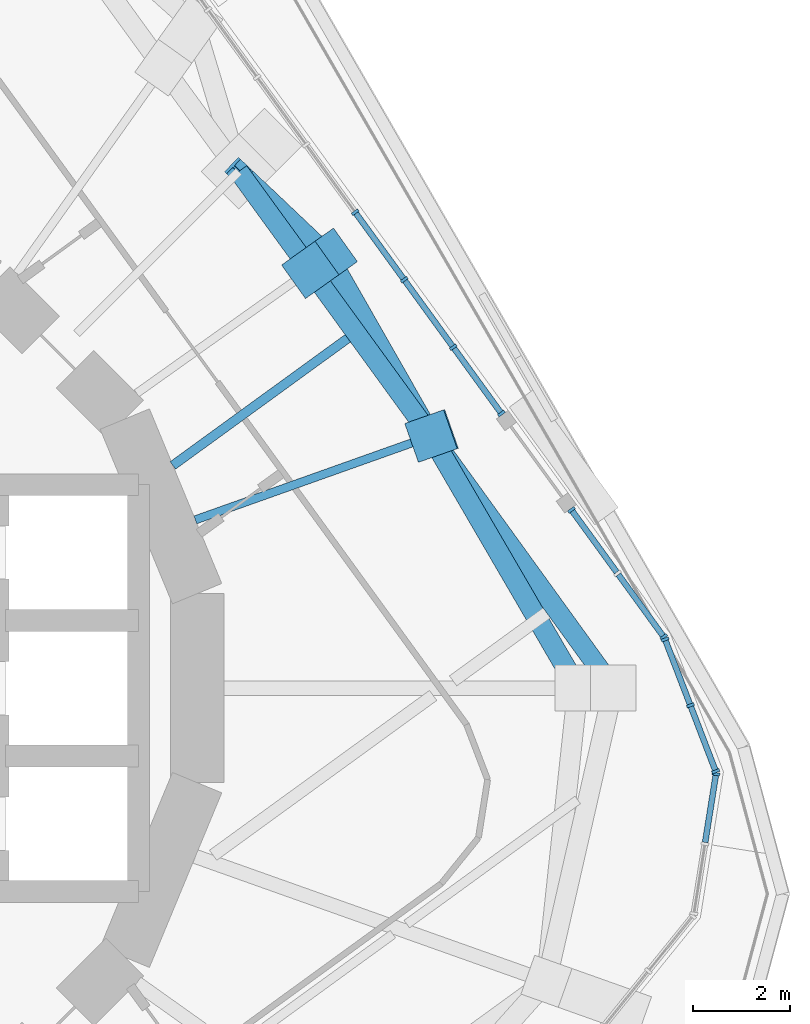
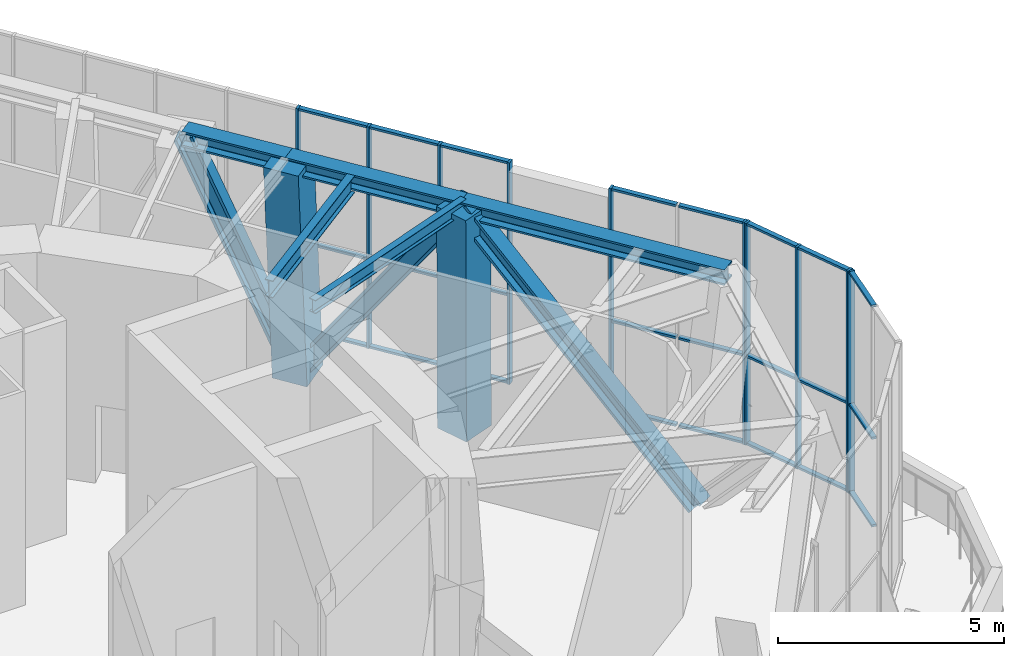
# One storey, part 7 of 18: 42 members, 2 beams, 4 elements without a shape of their own.
"""IFC4 building model written with IfcOpenShell, lengths in metres."""

from ifc_helpers import new_model, si_unit, direction, frame, origin, origin_2d, place, context, subcontext, project, spatial, rectangle, i_section, extrude, material, material_profile, profile_set, type_object, element, aggregate, save


model = new_model("IFC4")

# Units and contexts
model_context = context("Model", 3, precision=1e-05, world=origin(), true_north=direction((0.0, 1.0)))
body_context = subcontext(model_context, "Body", "Model", "MODEL_VIEW")
ifc_project = project(units=[si_unit("LENGTHUNIT", "METRE"), si_unit("AREAUNIT", "SQUARE_METRE"), si_unit("VOLUMEUNIT", "CUBIC_METRE"), si_unit("PLANEANGLEUNIT", "RADIAN"), si_unit("MASSUNIT", "GRAM", prefix="KILO")], contexts=[model_context])

# Site, building, storey
site_placement = place(None, origin())
site = spatial("IfcSite", under=ifc_project, at=site_placement, CompositionType="ELEMENT")
building_placement = place(site_placement, origin())
building = spatial("IfcBuilding", under=site, at=building_placement, Name="Nakasero Lantern House", CompositionType="ELEMENT")
storey_placement = place(building_placement, frame((0.0, 0.0, 257.75)))
storey = spatial("IfcBuildingStorey", under=building, at=storey_placement, Name="L63", CompositionType="ELEMENT", Elevation=257.75)

# Members
ifc_material_1 = material(Name="Steel S355", Category="steel")
ifc_material_profile_1 = material_profile(ifc_material_1, i_section(OverallWidth=0.406982421875, OverallDepth=0.4189453125, WebThickness=0.030517578125, FlangeThickness=0.04931640625, FilletRadius=0.01513671875, at=origin_2d()), Name="UC 356x406x393")
ifc_profile_set_1 = profile_set([ifc_material_profile_1], Name="Steel S355")
member_type_1 = type_object("IfcMemberType", Name="Belt truss chord UC 356x406x393", PredefinedType="CHORD", material=ifc_profile_set_1)
member_1_placement = place(storey_placement, frame((18.39990234375, 0.0, 5.590576171875), z_axis=(-0.58599287996, 0.810316200404, 0.0), x_axis=(-0.810316200404, -0.58599287996, 0.0)))
element("IfcMember", 1, at=member_1_placement, inside=storey, type_object=member_type_1, Name="Belt truss top chord T6 B7-C03T", PredefinedType="CHORD", context=body_context, shape_type="SweptSolid", body=[
    extrude(i_section(OverallWidth=0.406982421875, OverallDepth=0.4189453125, WebThickness=0.030517578125, FlangeThickness=0.04931640625, FilletRadius=0.01513671875, at=origin_2d()), origin(), (0.0, 0.0, 1.0), 6.42236328125),
])
member_2_placement = place(storey_placement, frame((14.636474609375, 5.2041015625, 5.590576171875), z_axis=(-0.587791706687, 0.809012304944, 0.0), x_axis=(-0.809012304944, -0.587791706687, 0.0)))
element("IfcMember", 2, at=member_2_placement, inside=storey, type_object=member_type_1, Name="Belt truss top chord T6 B7-C04T", PredefinedType="CHORD", context=body_context, shape_type="SweptSolid", body=[
    extrude(i_section(OverallWidth=0.406982421875, OverallDepth=0.4189453125, WebThickness=0.030517578125, FlangeThickness=0.04931640625, FilletRadius=0.01513671875, at=origin_2d()), origin(), (0.0, 0.0, 1.0), 4.2412109375),
])
member_3_placement = place(storey_placement, frame((12.1435546875, 8.63525390625, 5.590576171875), z_axis=(-0.58778439593, 0.809017616558, 0.0), x_axis=(-0.809017616558, -0.58778439593, 0.0)))
element("IfcMember", 3, at=member_3_placement, inside=storey, type_object=member_type_1, Name="Belt truss top chord T6 B7-C05T", PredefinedType="CHORD", context=body_context, shape_type="SweptSolid", body=[
    extrude(i_section(OverallWidth=0.406982421875, OverallDepth=0.4189453125, WebThickness=0.030517578125, FlangeThickness=0.04931640625, FilletRadius=0.01513671875, at=origin_2d()), origin(), (0.0, 0.0, 1.0), 2.51171875),
])
ifc_material_2 = material(Name="Steel S355", Category="steel")
ifc_material_profile_2 = material_profile(ifc_material_2, i_section(OverallWidth=0.41845703125, OverallDepth=0.45556640625, WebThickness=0.0419921875, FlangeThickness=0.0673828125, FilletRadius=0.01513671875, at=origin_2d()), Name="UC 356x406x551")
ifc_profile_set_2 = profile_set([ifc_material_profile_2], Name="Steel S355")
member_type_2 = type_object("IfcMemberType", Name="Belt truss diagonal UC 356x406x551", PredefinedType="BRACE", material=ifc_profile_set_2)
member_4_placement = place(storey_placement, frame((17.6669921875, 0.0, -0.409423828125), z_axis=(-0.356490257915, 0.612176455145, 0.705800739428), x_axis=(-0.864155074652, -0.503225602442, 0.0)))
element("IfcMember", 4, at=member_4_placement, inside=storey, type_object=member_type_2, Name="Belt truss diagonal T6-03", PredefinedType="BRACE", context=body_context, shape_type="SweptSolid", body=[
    extrude(i_section(OverallWidth=0.41845703125, OverallDepth=0.45556640625, WebThickness=0.0419921875, FlangeThickness=0.0673828125, FilletRadius=0.01513671875, at=origin_2d()), origin(), (0.0, 0.0, 1.0), 8.5009765625),
])
member_5_placement = place(storey_placement, frame((14.636474609375, 5.2041015625, 5.590576171875), z_axis=(-0.286937193585, 0.503052316846, -0.815233349081), x_axis=(-0.868630609336, -0.495460255243, 0.0)))
element("IfcMember", 5, at=member_5_placement, inside=storey, type_object=member_type_2, Name="Belt truss diagonal T6-04", PredefinedType="BRACE", context=body_context, shape_type="SweptSolid", body=[
    extrude(i_section(OverallWidth=0.41845703125, OverallDepth=0.45556640625, WebThickness=0.0419921875, FlangeThickness=0.0673828125, FilletRadius=0.01513671875, at=origin_2d()), origin(), (0.0, 0.0, 1.0), 7.35986328125),
])
member_6_placement = place(storey_placement, frame((12.524658203125, 8.906494140625, -0.409423828125), z_axis=(-0.284747293422, 0.269926062061, 0.919814600835), x_axis=(-0.687966872001, -0.725742091262, 0.0)))
element("IfcMember", 6, at=member_6_placement, inside=storey, type_object=member_type_2, Name="Belt truss diagonal T6-05", PredefinedType="BRACE", context=body_context, shape_type="SweptSolid", body=[
    extrude(i_section(OverallWidth=0.41845703125, OverallDepth=0.45556640625, WebThickness=0.0419921875, FlangeThickness=0.0673828125, FilletRadius=0.01513671875, at=origin_2d()), origin(), (0.0, 0.0, 1.0), 6.52294921875),
])

# Beam
ifc_material_3 = material(Name="Steel S355", Category="steel")
ifc_material_profile_3 = material_profile(ifc_material_3, i_section(OverallWidth=0.19140625, OverallDepth=0.4599609375, WebThickness=0.010009765625, FlangeThickness=0.01611328125, FilletRadius=0.01025390625, at=origin_2d()), Name="UB 457x191x82")
ifc_profile_set_3 = profile_set([ifc_material_profile_3], Name="Steel S355")
beam_type_1 = type_object("IfcBeamType", Name="Infill beam UB 457x191x82", PredefinedType="JOIST", material=ifc_profile_set_3)
beam_1_placement = place(storey_placement, frame((9.306396484375, 4.598388671875, 5.570068359375), z_axis=(0.809022109162, 0.587778212327, 0.0), x_axis=(-0.587778212327, 0.809022109162, 0.0)))
element("IfcBeam", 7, at=beam_1_placement, inside=storey, type_object=beam_type_1, Name="Infill beam L64 06.1", PredefinedType="JOIST", context=body_context, shape_type="SweptSolid", body=[
    extrude(i_section(OverallWidth=0.19140625, OverallDepth=0.4599609375, WebThickness=0.010009765625, FlangeThickness=0.01611328125, FilletRadius=0.01025390625, at=origin_2d()), origin(), (0.0, 0.0, 1.0), 4.46484375),
])

# Curtain wall, members
ifc_material_4 = material(Name="Aluminium 6063-T6 and glass", Category="aluminium")
curtain_wall_type = type_object("IfcCurtainWallType", Name="Sky lounge glazing CW-3", PredefinedType="USERDEFINED", material=ifc_material_4)
curtain_wall_1_placement = place(storey_placement, origin())
curtain_wall_1 = element("IfcCurtainWall", 8, at=curtain_wall_1_placement, inside=storey, type_object=curtain_wall_type, Name="Curtain wall CW-3 L63", ObjectType="STICK CURTAIN WALL", PredefinedType="USERDEFINED")
ifc_material_5 = material(Name="Aluminium 6063-T6", Category="aluminium")
ifc_material_profile_4 = material_profile(ifc_material_5, rectangle(XDim=0.06005859375, YDim=0.159912109375, at=origin_2d()), Name="CW-3 mullion 60x160")
ifc_profile_set_4 = profile_set([ifc_material_profile_4], Name="Aluminium 6063-T6")
member_type_3 = type_object("IfcMemberType", Name="Mullion CW-3", PredefinedType="MULLION", material=ifc_profile_set_4)
member_7_placement = place(storey_placement, frame((19.4404296875, 1.05908203125, 0.0), z_axis=(0.0, 0.0, 1.0), x_axis=(-0.587785252292, 0.809016994375, 0.0)))
member_7 = element("IfcMember", 9, at=member_7_placement, type_object=member_type_3, Name="CW-3 mullion 1", PredefinedType="MULLION", context=body_context, shape_type="SweptSolid", body=[
    extrude(rectangle(XDim=0.06005859375, YDim=0.159912109375, at=origin_2d()), origin(), (0.0, 0.0, 1.0), 6.0),
])
member_8_placement = place(storey_placement, frame((17.535888671875, 3.68017578125, 0.0), z_axis=(0.0, 0.0, 1.0), x_axis=(-0.587785252292, 0.809016994375, 0.0)))
member_8 = element("IfcMember", 10, at=member_8_placement, type_object=member_type_3, Name="CW-3 mullion 3", PredefinedType="MULLION", context=body_context, shape_type="SweptSolid", body=[
    extrude(rectangle(XDim=0.06005859375, YDim=0.159912109375, at=origin_2d()), origin(), (0.0, 0.0, 1.0), 6.0),
])

curtain_wall_2_placement = place(storey_placement, origin())
curtain_wall_2 = element("IfcCurtainWall", 11, at=curtain_wall_2_placement, inside=storey, type_object=curtain_wall_type, Name="Curtain wall CW-3 L63", ObjectType="STICK CURTAIN WALL", PredefinedType="USERDEFINED")
member_9_placement = place(storey_placement, frame((16.08984375, 5.67041015625, 0.0), z_axis=(0.0, 0.0, 1.0), x_axis=(-0.587785252292, 0.809016994375, 0.0)))
member_9 = element("IfcMember", 12, at=member_9_placement, type_object=member_type_3, Name="CW-3 mullion 1", PredefinedType="MULLION", context=body_context, shape_type="SweptSolid", body=[
    extrude(rectangle(XDim=0.06005859375, YDim=0.159912109375, at=origin_2d()), origin(), (0.0, 0.0, 1.0), 6.0),
])
member_10_placement = place(storey_placement, frame((15.09521484375, 7.039306640625, 0.0), z_axis=(0.0, 0.0, 1.0), x_axis=(-0.587785252292, 0.809016994375, 0.0)))
member_10 = element("IfcMember", 13, at=member_10_placement, type_object=member_type_3, Name="CW-3 mullion 2", PredefinedType="MULLION", context=body_context, shape_type="SweptSolid", body=[
    extrude(rectangle(XDim=0.06005859375, YDim=0.159912109375, at=origin_2d()), origin(), (0.0, 0.0, 1.0), 6.0),
])
member_11_placement = place(storey_placement, frame((14.0830078125, 8.4326171875, 0.0), z_axis=(0.0, 0.0, 1.0), x_axis=(-0.587785252292, 0.809016994375, 0.0)))
member_11 = element("IfcMember", 14, at=member_11_placement, type_object=member_type_3, Name="CW-3 mullion 3", PredefinedType="MULLION", context=body_context, shape_type="SweptSolid", body=[
    extrude(rectangle(XDim=0.06005859375, YDim=0.159912109375, at=origin_2d()), origin(), (0.0, 0.0, 1.0), 6.0),
])
member_12_placement = place(storey_placement, frame((13.07080078125, 9.825927734375, 0.0), z_axis=(0.0, 0.0, 1.0), x_axis=(-0.587785252292, 0.809016994375, 0.0)))
member_12 = element("IfcMember", 15, at=member_12_placement, type_object=member_type_3, Name="CW-3 mullion 4", PredefinedType="MULLION", context=body_context, shape_type="SweptSolid", body=[
    extrude(rectangle(XDim=0.06005859375, YDim=0.159912109375, at=origin_2d()), origin(), (0.0, 0.0, 1.0), 6.0),
])

# Curtain wall, member
curtain_wall_3_placement = place(storey_placement, origin())
curtain_wall_3 = element("IfcCurtainWall", 16, at=curtain_wall_3_placement, inside=storey, type_object=curtain_wall_type, Name="Curtain wall CW-3 L63", ObjectType="STICK CURTAIN WALL", PredefinedType="USERDEFINED")
member_13_placement = place(storey_placement, frame((20.52001953125, -1.773681640625, 0.0), z_axis=(0.0, 0.0, 1.0), x_axis=(0.15643446504, 0.987688340595, 0.0)))
member_13 = element("IfcMember", 17, at=member_13_placement, type_object=member_type_3, Name="CW-3 mullion 3", PredefinedType="MULLION", context=body_context, shape_type="SweptSolid", body=[
    extrude(rectangle(XDim=0.06005859375, YDim=0.159912109375, at=origin_2d()), origin(), (0.0, 0.0, 1.0), 6.0),
])

# Curtain wall, members
curtain_wall_4_placement = place(storey_placement, origin())
curtain_wall_4 = element("IfcCurtainWall", 18, at=curtain_wall_4_placement, inside=storey, type_object=curtain_wall_type, Name="Curtain wall CW-3 L63", ObjectType="STICK CURTAIN WALL", PredefinedType="USERDEFINED")
member_14_placement = place(storey_placement, frame((20.513916015625, -1.716064453125, 0.0), z_axis=(0.0, 0.0, 1.0), x_axis=(-0.358367949545, 0.933580426497, 0.0)))
member_14 = element("IfcMember", 19, at=member_14_placement, type_object=member_type_3, Name="CW-3 mullion 1", PredefinedType="MULLION", context=body_context, shape_type="SweptSolid", body=[
    extrude(rectangle(XDim=0.06005859375, YDim=0.159912109375, at=origin_2d()), origin(), (0.0, 0.0, 1.0), 6.0),
])
member_15_placement = place(storey_placement, frame((19.9912109375, -0.354736328125, 0.0), z_axis=(0.0, 0.0, 1.0), x_axis=(-0.358367949545, 0.933580426497, 0.0)))
member_15 = element("IfcMember", 20, at=member_15_placement, type_object=member_type_3, Name="CW-3 mullion 2", PredefinedType="MULLION", context=body_context, shape_type="SweptSolid", body=[
    extrude(rectangle(XDim=0.06005859375, YDim=0.159912109375, at=origin_2d()), origin(), (0.0, 0.0, 1.0), 6.0),
])
member_16_placement = place(storey_placement, frame((19.46875, 1.006591796875, 0.0), z_axis=(0.0, 0.0, 1.0), x_axis=(-0.358367949545, 0.933580426497, 0.0)))
member_16 = element("IfcMember", 21, at=member_16_placement, type_object=member_type_3, Name="CW-3 mullion 3", PredefinedType="MULLION", context=body_context, shape_type="SweptSolid", body=[
    extrude(rectangle(XDim=0.06005859375, YDim=0.159912109375, at=origin_2d()), origin(), (0.0, 0.0, 1.0), 6.0),
])

# Beam
ifc_material_6 = material(Name="Steel S355", Category="steel")
ifc_material_profile_5 = material_profile(ifc_material_6, i_section(OverallWidth=0.17138671875, OverallDepth=0.35498046875, WebThickness=0.00732421875, FlangeThickness=0.011474609375, FilletRadius=0.01025390625, at=origin_2d()), Name="UB 356x171x51")
ifc_profile_set_5 = profile_set([ifc_material_profile_5], Name="Steel S355")
beam_type_2 = type_object("IfcBeamType", Name="Primary beam UB 356x171x51, span to 6 m", PredefinedType="BEAM", material=ifc_profile_set_5)
beam_2_placement = place(storey_placement, frame((14.636474609375, 5.2041015625, 5.62255859375), z_axis=(-0.942221324153, -0.3349910093, 0.0), x_axis=(0.3349910093, -0.942221324153, 0.0)))
element("IfcBeam", 22, at=beam_2_placement, inside=storey, type_object=beam_type_2, Name="Primary beam L64 B7-C04T", PredefinedType="BEAM", context=body_context, shape_type="SweptSolid", body=[
    extrude(i_section(OverallWidth=0.17138671875, OverallDepth=0.35498046875, WebThickness=0.00732421875, FlangeThickness=0.011474609375, FilletRadius=0.01025390625, at=origin_2d()), origin(), (0.0, 0.0, 1.0), 5.162841796875),
])

# Members
ifc_material_7 = material(Name="Concrete C45/55", Category="concrete")
ifc_material_profile_6 = material_profile(ifc_material_7, rectangle(XDim=0.85009765625, YDim=0.85009765625, at=origin_2d()), Name="RC 850x850")
ifc_profile_set_6 = profile_set([ifc_material_profile_6], Name="Concrete C45/55")
member_type_4 = type_object("IfcMemberType", Name="Raking column RC 850x850 C45/55", PredefinedType="STRUT", material=ifc_profile_set_6)
member_17_placement = place(storey_placement, frame((14.657958984375, 5.211669921875, -0.409423828125), z_axis=(-0.003580703363, -0.001261384139, 0.999992793711), x_axis=(0.332259422668, -0.943188038542, 0.0)))
element("IfcMember", 23, at=member_17_placement, inside=storey, type_object=member_type_4, Name="Raking column B7-C04T L63", PredefinedType="STRUT", context=body_context, shape_type="SweptSolid", body=[
    extrude(rectangle(XDim=0.85009765625, YDim=0.85009765625, at=origin_2d()), origin(), (0.0, 0.0, 1.0), 6.0),
])
member_18_placement = place(storey_placement, frame((12.524658203125, 8.906494140625, -0.409423828125), z_axis=(-0.063325096405, -0.045069943694, 0.996974740072), x_axis=(0.579854967886, -0.814719716355, 0.0)))
element("IfcMember", 24, at=member_18_placement, inside=storey, type_object=member_type_4, Name="Raking column B7-C05T L63", PredefinedType="STRUT", context=body_context, shape_type="SweptSolid", body=[
    extrude(rectangle(XDim=0.85009765625, YDim=0.85009765625, at=origin_2d()), origin(), (0.0, 0.0, 1.0), 6.018310546875),
])

# Member
ifc_material_8 = material(Name="Aluminium 6063-T6", Category="aluminium")
ifc_material_profile_7 = material_profile(ifc_material_8, rectangle(XDim=0.06005859375, YDim=0.1201171875, at=origin_2d()), Name="CW-3 transom 60x120")
ifc_profile_set_7 = profile_set([ifc_material_profile_7], Name="Aluminium 6063-T6")
member_type_5 = type_object("IfcMemberType", Name="Transom CW-3", PredefinedType="USERDEFINED", material=ifc_profile_set_7)
member_19_placement = place(storey_placement, frame((19.422607421875, 1.083251953125, 0.030029296875), z_axis=(-0.58773420051, 0.809054083205, 0.0), x_axis=(0.0, 0.0, 1.0)))
member_19 = element("IfcMember", 25, at=member_19_placement, type_object=member_type_5, Name="CW-3 transom 1.1", ObjectType="TRANSOM", PredefinedType="USERDEFINED", context=body_context, shape_type="SweptSolid", body=[
    extrude(rectangle(XDim=0.06005859375, YDim=0.1201171875, at=origin_2d()), origin(), (0.0, 0.0, 1.0), 1.559814453125),
])

member_20_placement = place(storey_placement, frame((19.422607421875, 1.083251953125, 2.39990234375), z_axis=(-0.58773420051, 0.809054083205, 0.0), x_axis=(0.0, 0.0, 1.0)))
member_20 = element("IfcMember", 26, at=member_20_placement, type_object=member_type_5, Name="CW-3 transom 1.2", ObjectType="TRANSOM", PredefinedType="USERDEFINED", context=body_context, shape_type="SweptSolid", body=[
    extrude(rectangle(XDim=0.06005859375, YDim=0.1201171875, at=origin_2d()), origin(), (0.0, 0.0, 1.0), 1.559814453125),
])

member_21_placement = place(storey_placement, frame((19.422607421875, 1.083251953125, 5.969970703125), z_axis=(-0.58773420051, 0.809054083205, 0.0), x_axis=(0.0, 0.0, 1.0)))
member_21 = element("IfcMember", 27, at=member_21_placement, type_object=member_type_5, Name="CW-3 transom 1.3", ObjectType="TRANSOM", PredefinedType="USERDEFINED", context=body_context, shape_type="SweptSolid", body=[
    extrude(rectangle(XDim=0.06005859375, YDim=0.1201171875, at=origin_2d()), origin(), (0.0, 0.0, 1.0), 1.559814453125),
])

member_22_placement = place(storey_placement, frame((18.470458984375, 2.393798828125, 0.030029296875), z_axis=(-0.587762220541, 0.809033727421, 0.0), x_axis=(0.0, 0.0, 1.0)))
member_22 = element("IfcMember", 28, at=member_22_placement, type_object=member_type_5, Name="CW-3 transom 2.1", ObjectType="TRANSOM", PredefinedType="USERDEFINED", context=body_context, shape_type="SweptSolid", body=[
    extrude(rectangle(XDim=0.06005859375, YDim=0.1201171875, at=origin_2d()), origin(), (0.0, 0.0, 1.0), 1.56005859375),
])

member_23_placement = place(storey_placement, frame((18.470458984375, 2.393798828125, 2.39990234375), z_axis=(-0.587762220541, 0.809033727421, 0.0), x_axis=(0.0, 0.0, 1.0)))
member_23 = element("IfcMember", 29, at=member_23_placement, type_object=member_type_5, Name="CW-3 transom 2.2", ObjectType="TRANSOM", PredefinedType="USERDEFINED", context=body_context, shape_type="SweptSolid", body=[
    extrude(rectangle(XDim=0.06005859375, YDim=0.1201171875, at=origin_2d()), origin(), (0.0, 0.0, 1.0), 1.56005859375),
])

member_24_placement = place(storey_placement, frame((18.470458984375, 2.393798828125, 5.969970703125), z_axis=(-0.587762220541, 0.809033727421, 0.0), x_axis=(0.0, 0.0, 1.0)))
member_24 = element("IfcMember", 30, at=member_24_placement, type_object=member_type_5, Name="CW-3 transom 2.3", ObjectType="TRANSOM", PredefinedType="USERDEFINED", context=body_context, shape_type="SweptSolid", body=[
    extrude(rectangle(XDim=0.06005859375, YDim=0.1201171875, at=origin_2d()), origin(), (0.0, 0.0, 1.0), 1.56005859375),
])

aggregate(curtain_wall_1, [member_7, member_8, member_19, member_20, member_21, member_22, member_23, member_24])

member_25_placement = place(storey_placement, frame((16.072265625, 5.694580078125, 0.030029296875), z_axis=(-0.5877981218, 0.809007643974, 0.0), x_axis=(0.0, 0.0, 1.0)))
member_25 = element("IfcMember", 31, at=member_25_placement, type_object=member_type_5, Name="CW-3 transom 1.1", ObjectType="TRANSOM", PredefinedType="USERDEFINED", context=body_context, shape_type="SweptSolid", body=[
    extrude(rectangle(XDim=0.06005859375, YDim=0.1201171875, at=origin_2d()), origin(), (0.0, 0.0, 1.0), 1.63232421875),
])

member_26_placement = place(storey_placement, frame((16.072265625, 5.694580078125, 2.39990234375), z_axis=(-0.5877981218, 0.809007643974, 0.0), x_axis=(0.0, 0.0, 1.0)))
member_26 = element("IfcMember", 32, at=member_26_placement, type_object=member_type_5, Name="CW-3 transom 1.2", ObjectType="TRANSOM", PredefinedType="USERDEFINED", context=body_context, shape_type="SweptSolid", body=[
    extrude(rectangle(XDim=0.06005859375, YDim=0.1201171875, at=origin_2d()), origin(), (0.0, 0.0, 1.0), 1.63232421875),
])

member_27_placement = place(storey_placement, frame((16.072265625, 5.694580078125, 5.969970703125), z_axis=(-0.5877981218, 0.809007643974, 0.0), x_axis=(0.0, 0.0, 1.0)))
member_27 = element("IfcMember", 33, at=member_27_placement, type_object=member_type_5, Name="CW-3 transom 1.3", ObjectType="TRANSOM", PredefinedType="USERDEFINED", context=body_context, shape_type="SweptSolid", body=[
    extrude(rectangle(XDim=0.06005859375, YDim=0.1201171875, at=origin_2d()), origin(), (0.0, 0.0, 1.0), 1.63232421875),
])

member_28_placement = place(storey_placement, frame((15.07763671875, 7.063720703125, 0.030029296875), z_axis=(-0.58780483972, 0.809002762913, 0.0), x_axis=(0.0, 0.0, 1.0)))
member_28 = element("IfcMember", 34, at=member_28_placement, type_object=member_type_5, Name="CW-3 transom 2.1", ObjectType="TRANSOM", PredefinedType="USERDEFINED", context=body_context, shape_type="SweptSolid", body=[
    extrude(rectangle(XDim=0.06005859375, YDim=0.1201171875, at=origin_2d()), origin(), (0.0, 0.0, 1.0), 1.662109375),
])

member_29_placement = place(storey_placement, frame((15.07763671875, 7.063720703125, 2.39990234375), z_axis=(-0.58780483972, 0.809002762913, 0.0), x_axis=(0.0, 0.0, 1.0)))
member_29 = element("IfcMember", 35, at=member_29_placement, type_object=member_type_5, Name="CW-3 transom 2.2", ObjectType="TRANSOM", PredefinedType="USERDEFINED", context=body_context, shape_type="SweptSolid", body=[
    extrude(rectangle(XDim=0.06005859375, YDim=0.1201171875, at=origin_2d()), origin(), (0.0, 0.0, 1.0), 1.662109375),
])

member_30_placement = place(storey_placement, frame((15.07763671875, 7.063720703125, 5.969970703125), z_axis=(-0.58780483972, 0.809002762913, 0.0), x_axis=(0.0, 0.0, 1.0)))
member_30 = element("IfcMember", 36, at=member_30_placement, type_object=member_type_5, Name="CW-3 transom 2.3", ObjectType="TRANSOM", PredefinedType="USERDEFINED", context=body_context, shape_type="SweptSolid", body=[
    extrude(rectangle(XDim=0.06005859375, YDim=0.1201171875, at=origin_2d()), origin(), (0.0, 0.0, 1.0), 1.662109375),
])

member_31_placement = place(storey_placement, frame((14.0654296875, 8.45703125, 0.030029296875), z_axis=(-0.58780483972, 0.809002762913, 0.0), x_axis=(0.0, 0.0, 1.0)))
member_31 = element("IfcMember", 37, at=member_31_placement, type_object=member_type_5, Name="CW-3 transom 3.1", ObjectType="TRANSOM", PredefinedType="USERDEFINED", context=body_context, shape_type="SweptSolid", body=[
    extrude(rectangle(XDim=0.06005859375, YDim=0.1201171875, at=origin_2d()), origin(), (0.0, 0.0, 1.0), 1.662109375),
])

member_32_placement = place(storey_placement, frame((14.0654296875, 8.45703125, 2.39990234375), z_axis=(-0.58780483972, 0.809002762913, 0.0), x_axis=(0.0, 0.0, 1.0)))
member_32 = element("IfcMember", 38, at=member_32_placement, type_object=member_type_5, Name="CW-3 transom 3.2", ObjectType="TRANSOM", PredefinedType="USERDEFINED", context=body_context, shape_type="SweptSolid", body=[
    extrude(rectangle(XDim=0.06005859375, YDim=0.1201171875, at=origin_2d()), origin(), (0.0, 0.0, 1.0), 1.662109375),
])

member_33_placement = place(storey_placement, frame((14.0654296875, 8.45703125, 5.969970703125), z_axis=(-0.58780483972, 0.809002762913, 0.0), x_axis=(0.0, 0.0, 1.0)))
member_33 = element("IfcMember", 39, at=member_33_placement, type_object=member_type_5, Name="CW-3 transom 3.3", ObjectType="TRANSOM", PredefinedType="USERDEFINED", context=body_context, shape_type="SweptSolid", body=[
    extrude(rectangle(XDim=0.06005859375, YDim=0.1201171875, at=origin_2d()), origin(), (0.0, 0.0, 1.0), 1.662109375),
])

aggregate(curtain_wall_2, [member_9, member_10, member_11, member_12, member_25, member_26, member_27, member_28, member_29, member_30, member_31, member_32, member_33])

member_34_placement = place(storey_placement, frame((20.29638671875, -3.184326171875, 0.030029296875), z_axis=(0.156437738833, 0.987687822072, 0.0), x_axis=(0.0, 0.0, 1.0)))
member_34 = element("IfcMember", 40, at=member_34_placement, type_object=member_type_5, Name="CW-3 transom 2.1", ObjectType="TRANSOM", PredefinedType="USERDEFINED", context=body_context, shape_type="SweptSolid", body=[
    extrude(rectangle(XDim=0.06005859375, YDim=0.1201171875, at=origin_2d()), origin(), (0.0, 0.0, 1.0), 1.3984375),
])

member_35_placement = place(storey_placement, frame((20.29638671875, -3.184326171875, 2.39990234375), z_axis=(0.156437738833, 0.987687822072, 0.0), x_axis=(0.0, 0.0, 1.0)))
member_35 = element("IfcMember", 41, at=member_35_placement, type_object=member_type_5, Name="CW-3 transom 2.2", ObjectType="TRANSOM", PredefinedType="USERDEFINED", context=body_context, shape_type="SweptSolid", body=[
    extrude(rectangle(XDim=0.06005859375, YDim=0.1201171875, at=origin_2d()), origin(), (0.0, 0.0, 1.0), 1.3984375),
])

member_36_placement = place(storey_placement, frame((20.29638671875, -3.184326171875, 5.969970703125), z_axis=(0.156437738833, 0.987687822072, 0.0), x_axis=(0.0, 0.0, 1.0)))
member_36 = element("IfcMember", 42, at=member_36_placement, type_object=member_type_5, Name="CW-3 transom 2.3", ObjectType="TRANSOM", PredefinedType="USERDEFINED", context=body_context, shape_type="SweptSolid", body=[
    extrude(rectangle(XDim=0.06005859375, YDim=0.1201171875, at=origin_2d()), origin(), (0.0, 0.0, 1.0), 1.3984375),
])

aggregate(curtain_wall_3, [member_13, member_34, member_35, member_36])

member_37_placement = place(storey_placement, frame((20.503173828125, -1.68798828125, 0.030029296875), z_axis=(-0.358440839092, 0.933552443557, 0.0), x_axis=(0.0, 0.0, 1.0)))
member_37 = element("IfcMember", 43, at=member_37_placement, type_object=member_type_5, Name="CW-3 transom 1.1", ObjectType="TRANSOM", PredefinedType="USERDEFINED", context=body_context, shape_type="SweptSolid", body=[
    extrude(rectangle(XDim=0.06005859375, YDim=0.1201171875, at=origin_2d()), origin(), (0.0, 0.0, 1.0), 1.3984375),
])

member_38_placement = place(storey_placement, frame((20.503173828125, -1.68798828125, 2.39990234375), z_axis=(-0.358440839092, 0.933552443557, 0.0), x_axis=(0.0, 0.0, 1.0)))
member_38 = element("IfcMember", 44, at=member_38_placement, type_object=member_type_5, Name="CW-3 transom 1.2", ObjectType="TRANSOM", PredefinedType="USERDEFINED", context=body_context, shape_type="SweptSolid", body=[
    extrude(rectangle(XDim=0.06005859375, YDim=0.1201171875, at=origin_2d()), origin(), (0.0, 0.0, 1.0), 1.3984375),
])

member_39_placement = place(storey_placement, frame((20.503173828125, -1.68798828125, 5.969970703125), z_axis=(-0.358440839092, 0.933552443557, 0.0), x_axis=(0.0, 0.0, 1.0)))
member_39 = element("IfcMember", 45, at=member_39_placement, type_object=member_type_5, Name="CW-3 transom 1.3", ObjectType="TRANSOM", PredefinedType="USERDEFINED", context=body_context, shape_type="SweptSolid", body=[
    extrude(rectangle(XDim=0.06005859375, YDim=0.1201171875, at=origin_2d()), origin(), (0.0, 0.0, 1.0), 1.3984375),
])

member_40_placement = place(storey_placement, frame((19.98046875, -0.32666015625, 0.030029296875), z_axis=(-0.35828866289, 0.93361085793, 0.0), x_axis=(0.0, 0.0, 1.0)))
member_40 = element("IfcMember", 46, at=member_40_placement, type_object=member_type_5, Name="CW-3 transom 2.1", ObjectType="TRANSOM", PredefinedType="USERDEFINED", context=body_context, shape_type="SweptSolid", body=[
    extrude(rectangle(XDim=0.06005859375, YDim=0.1201171875, at=origin_2d()), origin(), (0.0, 0.0, 1.0), 1.398193359375),
])

member_41_placement = place(storey_placement, frame((19.98046875, -0.32666015625, 2.39990234375), z_axis=(-0.35828866289, 0.93361085793, 0.0), x_axis=(0.0, 0.0, 1.0)))
member_41 = element("IfcMember", 47, at=member_41_placement, type_object=member_type_5, Name="CW-3 transom 2.2", ObjectType="TRANSOM", PredefinedType="USERDEFINED", context=body_context, shape_type="SweptSolid", body=[
    extrude(rectangle(XDim=0.06005859375, YDim=0.1201171875, at=origin_2d()), origin(), (0.0, 0.0, 1.0), 1.398193359375),
])

member_42_placement = place(storey_placement, frame((19.98046875, -0.32666015625, 5.969970703125), z_axis=(-0.35828866289, 0.93361085793, 0.0), x_axis=(0.0, 0.0, 1.0)))
member_42 = element("IfcMember", 48, at=member_42_placement, type_object=member_type_5, Name="CW-3 transom 2.3", ObjectType="TRANSOM", PredefinedType="USERDEFINED", context=body_context, shape_type="SweptSolid", body=[
    extrude(rectangle(XDim=0.06005859375, YDim=0.1201171875, at=origin_2d()), origin(), (0.0, 0.0, 1.0), 1.398193359375),
])

aggregate(curtain_wall_4, [member_14, member_15, member_16, member_37, member_38, member_39, member_40, member_41, member_42])

save(model, "model.ifc")
